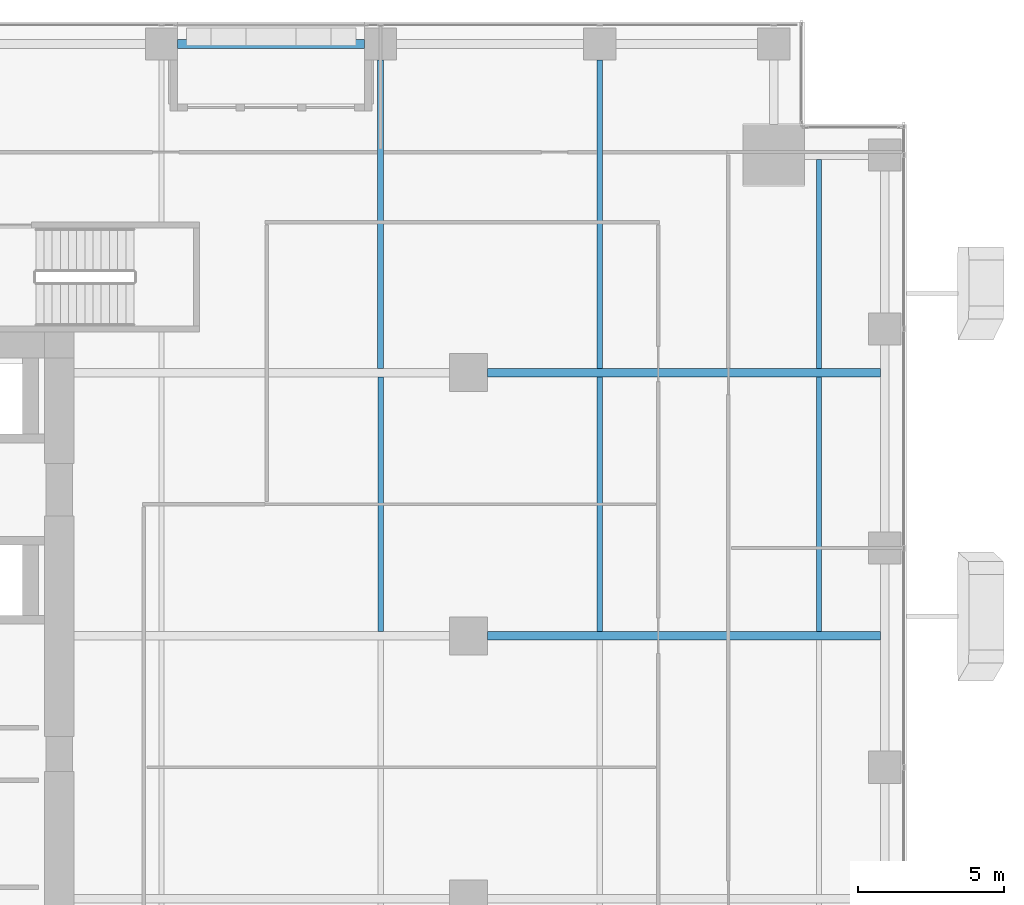
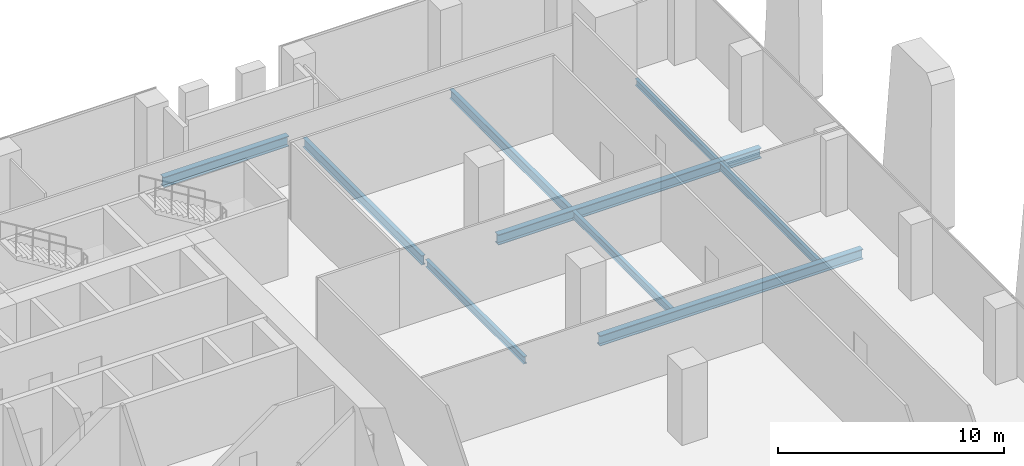
# One storey, part 18 of 35: 9 beams.
"""IFC4 building model written with IfcOpenShell, lengths in metres."""

from ifc_helpers import new_model, si_unit, direction, frame, origin, origin_2d, place, context, subcontext, project, spatial, i_section, extrude, source, transform, mapped, material, material_profile, profile_set, type_object, element, save


model = new_model("IFC4")

# Units and contexts
model_context = context("Model", 3, precision=1e-05, world=origin(), true_north=direction((0.0, 1.0)))
body_context = subcontext(model_context, "Body", "Model", "MODEL_VIEW")
ifc_project = project(units=[si_unit("LENGTHUNIT", "METRE"), si_unit("AREAUNIT", "SQUARE_METRE"), si_unit("VOLUMEUNIT", "CUBIC_METRE"), si_unit("PLANEANGLEUNIT", "RADIAN"), si_unit("MASSUNIT", "GRAM", prefix="KILO")], contexts=[model_context])

# Site, building, storey
site_placement = place(None, origin())
site = spatial("IfcSite", under=ifc_project, at=site_placement, CompositionType="ELEMENT")
building_placement = place(site_placement, origin())
building = spatial("IfcBuilding", under=site, at=building_placement, Name="Khomas Fold Tower", CompositionType="ELEMENT")
storey_placement = place(building_placement, frame((0.0, 0.0, 119.10009765625)))
storey = spatial("IfcBuildingStorey", under=building, at=storey_placement, Name="L25", CompositionType="ELEMENT", Elevation=119.10009765625)

# Beams
ifc_material_1 = material(Name="Steel S355", Category="steel")
ifc_material_profile_1 = material_profile(ifc_material_1, i_section(OverallWidth=0.179931640625, OverallDepth=0.39990234375, WebThickness=0.008544921875, FlangeThickness=0.013427734375, at=origin_2d()), Name="IPE 400")
ifc_profile_set_1 = profile_set([ifc_material_profile_1], Name="Steel S355")
beam_type_1 = type_object("IfcBeamType", Name="IPE 400 beam JB3", PredefinedType="BEAM", material=ifc_profile_set_1)
shared_shape_1 = source(origin(), body_context, "Body", "SweptSolid", [
    extrude(i_section(OverallWidth=0.179931640625, OverallDepth=0.39990234375, WebThickness=0.008544921875, FlangeThickness=0.013427734375, at=origin_2d()), origin(), (0.0, 0.0, 1.0), 8.7001953125),
])
for number, where, z_axis, x_axis, name in (
    (1, (34.5, 31.64990234375, -0.5), (0.0, 1.0, 0.0), (-1.0, 0.0, 0.0), "JB3"),
    (2, (42.0, 31.64990234375, -0.5), (0.0, 1.0, 0.0), (-1.0, 0.0, 0.0), "JB3"),
    (3, (49.5, 31.64990234375, -0.5), (0.0, 1.0, 0.0), (-1.0, 0.0, 0.0), "JB3"),
):
    element("IfcBeam", number, at=place(storey_placement, frame(where, z_axis=z_axis, x_axis=x_axis)), inside=storey, type_object=beam_type_1, Name=name, PredefinedType="BEAM", context=body_context, shape_type="MappedRepresentation", body=[
        mapped(shared_shape_1, transform((0.0, 0.0, 0.0))),
    ])
ifc_material_2 = material(Name="Steel S355", Category="steel")
ifc_material_profile_2 = material_profile(ifc_material_2, i_section(OverallWidth=0.169921875, OverallDepth=0.360107421875, WebThickness=0.008056640625, FlangeThickness=0.0126953125, at=origin_2d()), Name="IPE 360")
ifc_profile_set_2 = profile_set([ifc_material_profile_2], Name="Steel S355")
beam_type_2 = type_object("IfcBeamType", Name="IPE 360 beam JB2", PredefinedType="BEAM", material=ifc_profile_set_2)
shared_shape_2 = source(origin(), body_context, "Body", "SweptSolid", [
    extrude(i_section(OverallWidth=0.169921875, OverallDepth=0.360107421875, WebThickness=0.008056640625, FlangeThickness=0.0126953125, at=origin_2d()), origin(), (0.0, 0.0, 1.0), 7.150146484375),
])
beam_1_placement = place(storey_placement, frame((49.5, 40.64990234375, -0.47998046875), z_axis=(0.0, 1.0, 0.0), x_axis=(-1.0, 0.0, 0.0)))
element("IfcBeam", 4, at=beam_1_placement, inside=storey, type_object=beam_type_2, Name="JB2", PredefinedType="BEAM", context=body_context, shape_type="MappedRepresentation", body=[
    mapped(shared_shape_2, transform((0.0, 0.0, 0.0))),
])
ifc_material_3 = material(Name="Steel S355", Category="steel")
ifc_material_profile_3 = material_profile(ifc_material_3, i_section(OverallWidth=0.300048828125, OverallDepth=0.550048828125, WebThickness=0.014892578125, FlangeThickness=0.029052734375, at=origin_2d()), Name="HE 550 B")
ifc_profile_set_3 = profile_set([ifc_material_profile_3], Name="Steel S355")
beam_type_3 = type_object("IfcBeamType", Name="HE 550 B spandrel SB2", PredefinedType="SPANDREL", material=ifc_profile_set_3)
shared_shape_3 = source(origin(), body_context, "Body", "SweptSolid", [
    extrude(i_section(OverallWidth=0.300048828125, OverallDepth=0.550048828125, WebThickness=0.014892578125, FlangeThickness=0.029052734375, at=origin_2d()), origin(), (0.0, 0.0, 1.0), 6.39990234375),
])
beam_2_placement = place(storey_placement, frame((27.550048828125, 51.75, -0.5751953125), z_axis=(1.0, 0.0, 0.0), x_axis=(0.0, 1.0, 0.0)))
element("IfcBeam", 5, at=beam_2_placement, inside=storey, type_object=beam_type_3, Name="SB2", PredefinedType="SPANDREL", context=body_context, shape_type="MappedRepresentation", body=[
    mapped(shared_shape_3, transform((0.0, 0.0, 0.0))),
])
ifc_material_4 = material(Name="Steel S355", Category="steel")
ifc_material_profile_4 = material_profile(ifc_material_4, i_section(OverallWidth=0.300048828125, OverallDepth=0.550048828125, WebThickness=0.014892578125, FlangeThickness=0.029052734375, at=origin_2d()), Name="HE 550 B")
ifc_profile_set_4 = profile_set([ifc_material_profile_4], Name="Steel S355")
beam_type_4 = type_object("IfcBeamType", Name="HE 550 B beam GB4", PredefinedType="BEAM", material=ifc_profile_set_4)
shared_shape_4 = source(origin(), body_context, "Body", "SweptSolid", [
    extrude(i_section(OverallWidth=0.300048828125, OverallDepth=0.550048828125, WebThickness=0.014892578125, FlangeThickness=0.029052734375, at=origin_2d()), origin(), (0.0, 0.0, 1.0), 13.4501953125),
])
for number, where, z_axis, x_axis, name in (
    (6, (38.14990234375, 31.5, -0.5751953125), (1.0, 0.0, 0.0), (0.0, 1.0, 0.0), "GB4"),
    (7, (38.14990234375, 40.5, -0.5751953125), (1.0, 0.0, 0.0), (0.0, 1.0, 0.0), "GB4"),
):
    element("IfcBeam", number, at=place(storey_placement, frame(where, z_axis=z_axis, x_axis=x_axis)), inside=storey, type_object=beam_type_4, Name=name, PredefinedType="BEAM", context=body_context, shape_type="MappedRepresentation", body=[
        mapped(shared_shape_4, transform((0.0, 0.0, 0.0))),
    ])
ifc_material_5 = material(Name="Steel S355", Category="steel")
ifc_material_profile_5 = material_profile(ifc_material_5, i_section(OverallWidth=0.199951171875, OverallDepth=0.5, WebThickness=0.01025390625, FlangeThickness=0.01611328125, at=origin_2d()), Name="IPE 500")
ifc_profile_set_5 = profile_set([ifc_material_profile_5], Name="Steel S355")
beam_type_5 = type_object("IfcBeamType", Name="IPE 500 beam JB5", PredefinedType="BEAM", material=ifc_profile_set_5)
shared_shape_5 = source(origin(), body_context, "Body", "SweptSolid", [
    extrude(i_section(OverallWidth=0.199951171875, OverallDepth=0.5, WebThickness=0.01025390625, FlangeThickness=0.01611328125, at=origin_2d()), origin(), (0.0, 0.0, 1.0), 10.550048828125),
])
for number, where, z_axis, x_axis, name in (
    (8, (34.5, 40.64990234375, -0.550048828125), (0.0, 1.0, 0.0), (-1.0, 0.0, 0.0), "JB5"),
    (9, (42.0, 40.64990234375, -0.550048828125), (0.0, 1.0, 0.0), (-1.0, 0.0, 0.0), "JB5"),
):
    element("IfcBeam", number, at=place(storey_placement, frame(where, z_axis=z_axis, x_axis=x_axis)), inside=storey, type_object=beam_type_5, Name=name, PredefinedType="BEAM", context=body_context, shape_type="MappedRepresentation", body=[
        mapped(shared_shape_5, transform((0.0, 0.0, 0.0))),
    ])

save(model, "model.ifc")
